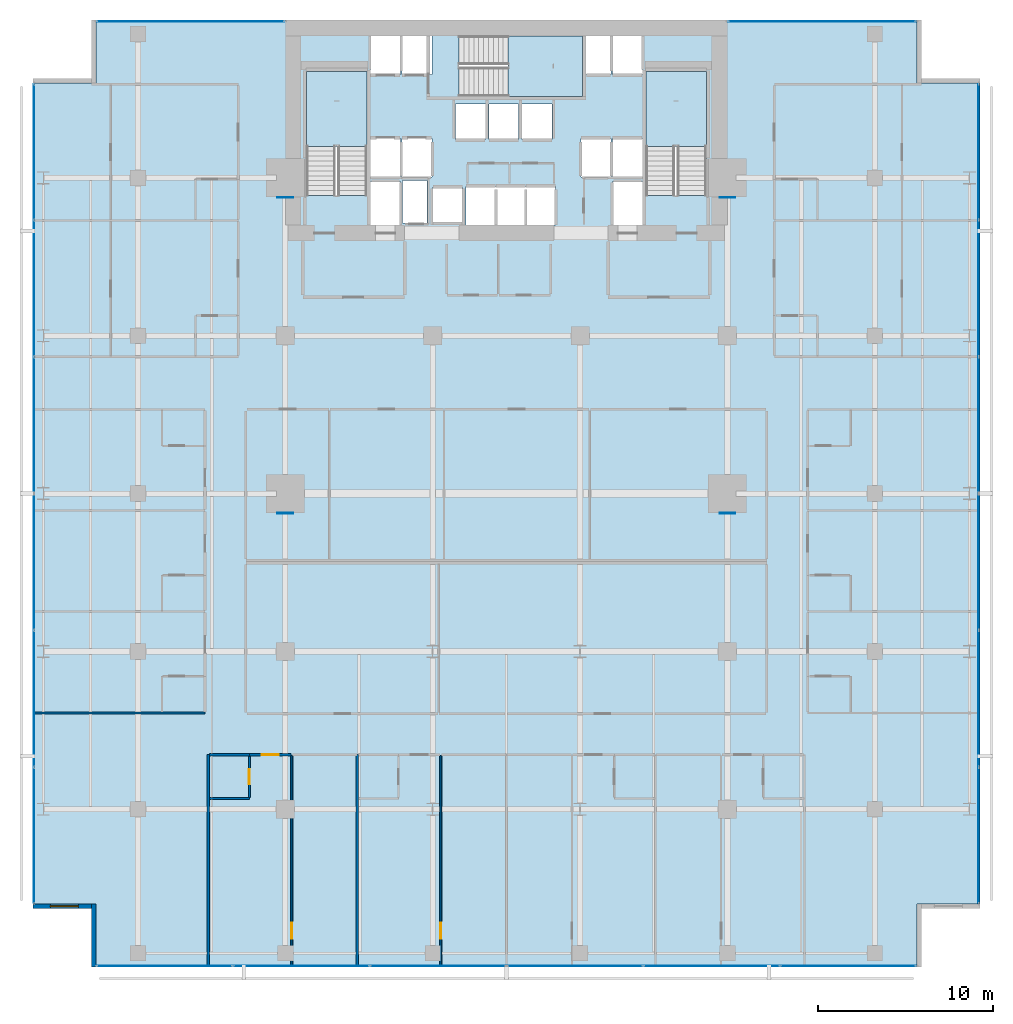
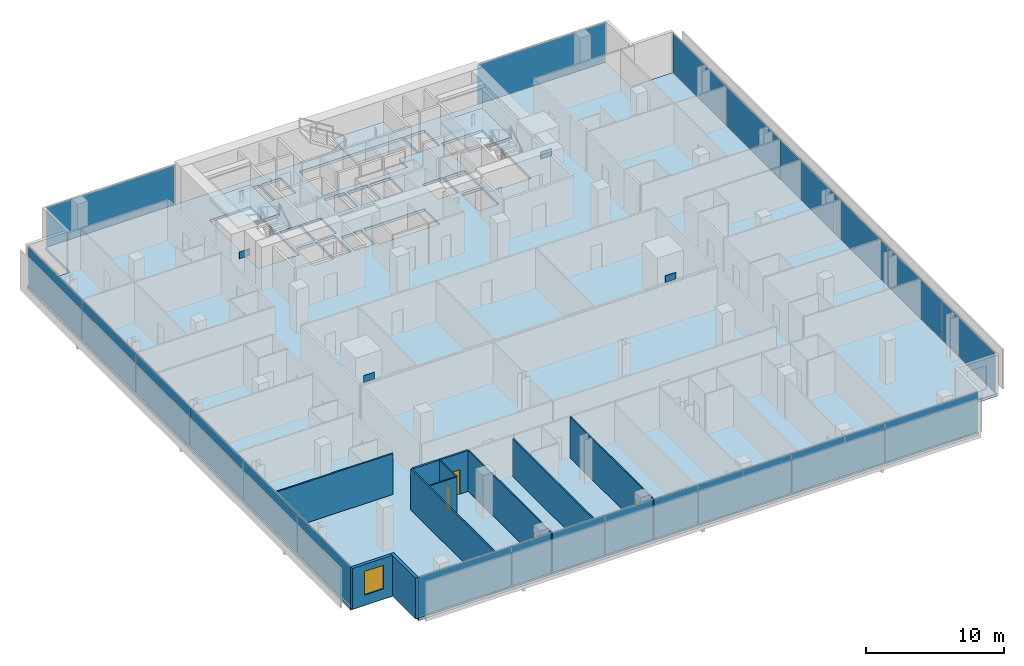
# One storey, part 32 of 40: 24 plates, 11 walls, 4 doors, 4 slabs, 1 window, 5 openings, 8 elements without a shape of their own.
"""IFC4 building model written with IfcOpenShell, lengths in metres."""

from ifc_helpers import new_model, si_unit, direction, frame, frame_2d, origin, origin_2d, place, context, subcontext, project, spatial, polyline, rectangle, outline, extrude, material, layer, layer_set, type_object, element, fill, aggregate, save


model = new_model("IFC4")

# Units and contexts
model_context = context("Model", 3, precision=1e-05, world=origin(), true_north=direction((0.0, 1.0)))
body_context = subcontext(model_context, "Body", "Model", "MODEL_VIEW")
ifc_project = project(units=[si_unit("LENGTHUNIT", "METRE"), si_unit("AREAUNIT", "SQUARE_METRE"), si_unit("VOLUMEUNIT", "CUBIC_METRE"), si_unit("PLANEANGLEUNIT", "RADIAN"), si_unit("MASSUNIT", "GRAM", prefix="KILO")], contexts=[model_context])

# Site, building, storey
site_placement = place(None, origin())
site = spatial("IfcSite", under=ifc_project, at=site_placement, CompositionType="ELEMENT")
building_placement = place(site_placement, origin())
building = spatial("IfcBuilding", under=site, at=building_placement, Name="Maruvema Waterfront Hotel and Observation Tower", CompositionType="ELEMENT")
storey_placement = place(building_placement, frame((0.0, 0.0, 96.25)))
storey = spatial("IfcBuildingStorey", under=building, at=storey_placement, Name="L23", CompositionType="ELEMENT", Elevation=96.25)

# Slab
ifc_material_1 = material(Name="Concrete C50/60", Category="concrete")
ifc_layer_1 = layer(ifc_material_1, 0.239990234375, Name="Reinforced Concrete Floor Slab 240 mm")
ifc_layer_set_1 = layer_set([ifc_layer_1], Name="Concrete C50/60")
slab_type_1 = type_object("IfcSlabType", Name="Reinforced Concrete Floor Slab 240 mm", PredefinedType="FLOOR", material=ifc_layer_set_1)
slab_1_placement = place(storey_placement, frame((0.0, 0.0, -0.239990234375)))
element("IfcSlab", 1, at=slab_1_placement, inside=storey, type_object=slab_type_1, Name="L23 Structural Floor Slab", PredefinedType="FLOOR", context=body_context, shape_type="SweptSolid", body=[
    extrude(outline(polyline([(14.39990234375, 0.0), (61.199951171875, 0.0), (61.199951171875, 3.60009765625), (64.800048828125, 3.60009765625), (64.800048828125, 50.39990234375), (61.199951171875, 50.39990234375), (61.199951171875, 54.0), (14.39990234375, 54.0), (14.39990234375, 50.39990234375), (10.800048828125, 50.39990234375), (10.800048828125, 3.60009765625), (14.39990234375, 3.60009765625), (14.39990234375, 0.0)]), holes=[polyline([(26.39990234375, 44.00048828125), (26.39990234375, 51.050048828125), (29.85009765625, 51.050048828125), (29.85009765625, 44.00048828125), (26.39990234375, 44.00048828125)]), polyline([(30.050048828125, 44.800048828125), (31.75, 44.800048828125), (31.75, 42.320068359375), (30.050048828125, 42.320068359375), (30.050048828125, 44.800048828125)]), polyline([(31.75, 47.25), (31.75, 45.050048828125), (30.050048828125, 45.050048828125), (30.050048828125, 47.25), (31.75, 47.25)]), polyline([(31.75, 53.10009765625), (31.75, 50.89990234375), (30.050048828125, 50.89990234375), (30.050048828125, 53.10009765625), (31.75, 53.10009765625)]), polyline([(33.280029296875, 44.860107421875), (33.280029296875, 42.43994140625), (31.8798828125, 42.43994140625), (31.8798828125, 44.860107421875), (33.280029296875, 44.860107421875)]), polyline([(31.85009765625, 47.25), (33.550048828125, 47.25), (33.550048828125, 45.050048828125), (31.85009765625, 45.050048828125), (31.85009765625, 47.25)]), polyline([(31.85009765625, 53.10009765625), (33.550048828125, 53.10009765625), (33.550048828125, 50.89990234375), (31.85009765625, 50.89990234375), (31.85009765625, 53.10009765625)]), polyline([(33.60009765625, 44.449951171875), (35.300048828125, 44.449951171875), (35.300048828125, 42.449951171875), (33.60009765625, 42.449951171875), (33.60009765625, 44.449951171875)]), polyline([(34.89990234375, 49.199951171875), (36.60009765625, 49.199951171875), (36.60009765625, 47.199951171875), (34.89990234375, 47.199951171875), (34.89990234375, 49.199951171875)]), polyline([(38.5, 49.199951171875), (38.5, 47.199951171875), (36.800048828125, 47.199951171875), (36.800048828125, 49.199951171875), (38.5, 49.199951171875)]), polyline([(35.5, 44.5), (40.60009765625, 44.5), (40.60009765625, 42.300048828125), (35.5, 42.300048828125), (35.5, 44.5)]), polyline([(43.75, 50.89990234375), (42.14990234375, 50.89990234375), (42.14990234375, 49.64990234375), (35.1005859375, 49.64990234375), (35.1005859375, 53.10009765625), (43.75, 53.10009765625), (43.75, 50.89990234375)]), polyline([(40.39990234375, 49.199951171875), (40.39990234375, 47.199951171875), (38.699951171875, 47.199951171875), (38.699951171875, 49.199951171875), (40.39990234375, 49.199951171875)]), polyline([(43.75, 47.25), (43.75, 45.050048828125), (42.050048828125, 45.050048828125), (42.050048828125, 47.25), (43.75, 47.25)]), polyline([(45.550048828125, 44.800048828125), (45.550048828125, 42.320068359375), (43.85009765625, 42.320068359375), (43.85009765625, 44.800048828125), (45.550048828125, 44.800048828125)]), polyline([(43.85009765625, 47.25), (45.550048828125, 47.25), (45.550048828125, 45.050048828125), (43.85009765625, 45.050048828125), (43.85009765625, 47.25)]), polyline([(45.550048828125, 53.10009765625), (45.550048828125, 50.89990234375), (43.85009765625, 50.89990234375), (43.85009765625, 53.10009765625), (45.550048828125, 53.10009765625)]), polyline([(45.75, 51.050048828125), (49.199951171875, 51.050048828125), (49.199951171875, 44.00048828125), (45.75, 44.00048828125), (45.75, 51.050048828125)])]), origin(), (0.0, 0.0, 1.0), 0.239990234375),
])

# Curtain wall, plates
ifc_material_2 = material(Name="Anodised bronze aluminium and solar-control low-E IGU", Category="aluminium")
ifc_layer_2 = layer(ifc_material_2, 0.159912109375, Name="Zone 1 Bronze Inner Thermal Curtain Wall System CW-02")
ifc_layer_set_2 = layer_set([ifc_layer_2], Name="Anodised bronze aluminium and solar-control low-E IGU")
curtain_wall_type = type_object("IfcCurtainWallType", Name="Zone 1 Bronze Inner Thermal Curtain Wall System CW-02", PredefinedType="USERDEFINED", material=ifc_layer_set_2)
curtain_wall_1_placement = place(storey_placement, origin())
curtain_wall_1 = element("IfcCurtainWall", 2, at=curtain_wall_1_placement, inside=storey, type_object=curtain_wall_type, Name="L23 Curtain Wall CW-L23-S", ObjectType="UNITISED CURTAIN WALL", PredefinedType="USERDEFINED")
ifc_material_3 = material(Name="Laminated low-E solar-control double glazing", Category="glass")
ifc_layer_3 = layer(ifc_material_3, 0.035888671875, Name="Solar Control Double-Glazed Curtain Panel 36 mm")
ifc_layer_set_3 = layer_set([ifc_layer_3], Name="Laminated low-E solar-control double glazing")
plate_type_1 = type_object("IfcPlateType", Name="Solar Control Double-Glazed Curtain Panel 36 mm", PredefinedType="CURTAIN_PANEL", material=ifc_layer_set_3)
plate_1_placement = place(storey_placement, frame((18.31494140625, 0.080078125, 0.06005859375), z_axis=(0.0, 0.0, 1.0), x_axis=(1.0, 0.0, 0.0)))
plate_1 = element("IfcPlate", 3, at=plate_1_placement, type_object=plate_type_1, Name="CW-02 panel 1.1", PredefinedType="CURTAIN_PANEL", context=body_context, shape_type="SweptSolid", body=[
    extrude(rectangle(XDim=7.7099609375, YDim=0.028076171875, at=origin_2d()), origin(), (0.0, 0.0, 1.0), 3.489990234375),
])
plate_2_placement = place(storey_placement, frame((26.10009765625, 0.080078125, 0.06005859375), z_axis=(0.0, 0.0, 1.0), x_axis=(1.0, 0.0, 0.0)))
plate_2 = element("IfcPlate", 4, at=plate_2_placement, type_object=plate_type_1, Name="CW-02 panel 2.1", PredefinedType="CURTAIN_PANEL", context=body_context, shape_type="SweptSolid", body=[
    extrude(rectangle(XDim=7.739990234375, YDim=0.028076171875, at=origin_2d()), origin(), (0.0, 0.0, 1.0), 3.489990234375),
])
plate_3_placement = place(storey_placement, frame((33.89990234375, 0.080078125, 0.06005859375), z_axis=(0.0, 0.0, 1.0), x_axis=(1.0, 0.0, 0.0)))
plate_3 = element("IfcPlate", 5, at=plate_3_placement, type_object=plate_type_1, Name="CW-02 panel 3.1", PredefinedType="CURTAIN_PANEL", context=body_context, shape_type="SweptSolid", body=[
    extrude(rectangle(XDim=7.739990234375, YDim=0.028076171875, at=origin_2d()), origin(), (0.0, 0.0, 1.0), 3.489990234375),
])
plate_4_placement = place(storey_placement, frame((41.699951171875, 0.080078125, 0.06005859375), z_axis=(0.0, 0.0, 1.0), x_axis=(1.0, 0.0, 0.0)))
plate_4 = element("IfcPlate", 6, at=plate_4_placement, type_object=plate_type_1, Name="CW-02 panel 4.1", PredefinedType="CURTAIN_PANEL", context=body_context, shape_type="SweptSolid", body=[
    extrude(rectangle(XDim=7.739990234375, YDim=0.028076171875, at=origin_2d()), origin(), (0.0, 0.0, 1.0), 3.489990234375),
])
plate_5_placement = place(storey_placement, frame((49.5, 0.080078125, 0.06005859375), z_axis=(0.0, 0.0, 1.0), x_axis=(1.0, 0.0, 0.0)))
plate_5 = element("IfcPlate", 7, at=plate_5_placement, type_object=plate_type_1, Name="CW-02 panel 5.1", PredefinedType="CURTAIN_PANEL", context=body_context, shape_type="SweptSolid", body=[
    extrude(rectangle(XDim=7.739990234375, YDim=0.028076171875, at=origin_2d()), origin(), (0.0, 0.0, 1.0), 3.489990234375),
])
plate_6_placement = place(storey_placement, frame((57.284912109375, 0.080078125, 0.06005859375), z_axis=(0.0, 0.0, 1.0), x_axis=(1.0, 0.0, 0.0)))
plate_6 = element("IfcPlate", 8, at=plate_6_placement, type_object=plate_type_1, Name="CW-02 panel 6.1", PredefinedType="CURTAIN_PANEL", context=body_context, shape_type="SweptSolid", body=[
    extrude(rectangle(XDim=7.7099609375, YDim=0.028076171875, at=origin_2d()), origin(), (0.0, 0.0, 1.0), 3.489990234375),
])
aggregate(curtain_wall_1, [plate_1, plate_2, plate_3, plate_4, plate_5, plate_6])

curtain_wall_2_placement = place(storey_placement, origin())
curtain_wall_2 = element("IfcCurtainWall", 9, at=curtain_wall_2_placement, inside=storey, type_object=curtain_wall_type, Name="L23 Curtain Wall CW-L23-E", ObjectType="UNITISED CURTAIN WALL", PredefinedType="USERDEFINED")
plate_7_placement = place(storey_placement, frame((64.719970703125, 7.514892578125, 0.06005859375), z_axis=(0.0, 0.0, 1.0), x_axis=(0.0, 1.0, 0.0)))
plate_7 = element("IfcPlate", 10, at=plate_7_placement, type_object=plate_type_1, Name="CW-02 panel 1.1", PredefinedType="CURTAIN_PANEL", context=body_context, shape_type="SweptSolid", body=[
    extrude(rectangle(XDim=7.7099609375, YDim=0.028076171875, at=origin_2d()), origin(), (0.0, 0.0, 1.0), 3.489990234375),
])
plate_8_placement = place(storey_placement, frame((64.719970703125, 15.300048828125, 0.06005859375), z_axis=(0.0, 0.0, 1.0), x_axis=(0.0, 1.0, 0.0)))
plate_8 = element("IfcPlate", 11, at=plate_8_placement, type_object=plate_type_1, Name="CW-02 panel 2.1", PredefinedType="CURTAIN_PANEL", context=body_context, shape_type="SweptSolid", body=[
    extrude(rectangle(XDim=7.739990234375, YDim=0.028076171875, at=origin_2d()), origin(), (0.0, 0.0, 1.0), 3.489990234375),
])
plate_9_placement = place(storey_placement, frame((64.719970703125, 23.10009765625, 0.06005859375), z_axis=(0.0, 0.0, 1.0), x_axis=(0.0, 1.0, 0.0)))
plate_9 = element("IfcPlate", 12, at=plate_9_placement, type_object=plate_type_1, Name="CW-02 panel 3.1", PredefinedType="CURTAIN_PANEL", context=body_context, shape_type="SweptSolid", body=[
    extrude(rectangle(XDim=7.739990234375, YDim=0.028076171875, at=origin_2d()), origin(), (0.0, 0.0, 1.0), 3.489990234375),
])
plate_10_placement = place(storey_placement, frame((64.719970703125, 30.89990234375, 0.06005859375), z_axis=(0.0, 0.0, 1.0), x_axis=(0.0, 1.0, 0.0)))
plate_10 = element("IfcPlate", 13, at=plate_10_placement, type_object=plate_type_1, Name="CW-02 panel 4.1", PredefinedType="CURTAIN_PANEL", context=body_context, shape_type="SweptSolid", body=[
    extrude(rectangle(XDim=7.739990234375, YDim=0.028076171875, at=origin_2d()), origin(), (0.0, 0.0, 1.0), 3.489990234375),
])
plate_11_placement = place(storey_placement, frame((64.719970703125, 38.699951171875, 0.06005859375), z_axis=(0.0, 0.0, 1.0), x_axis=(0.0, 1.0, 0.0)))
plate_11 = element("IfcPlate", 14, at=plate_11_placement, type_object=plate_type_1, Name="CW-02 panel 5.1", PredefinedType="CURTAIN_PANEL", context=body_context, shape_type="SweptSolid", body=[
    extrude(rectangle(XDim=7.739990234375, YDim=0.028076171875, at=origin_2d()), origin(), (0.0, 0.0, 1.0), 3.489990234375),
])
plate_12_placement = place(storey_placement, frame((64.719970703125, 46.485107421875, 0.06005859375), z_axis=(0.0, 0.0, 1.0), x_axis=(0.0, 1.0, 0.0)))
plate_12 = element("IfcPlate", 15, at=plate_12_placement, type_object=plate_type_1, Name="CW-02 panel 6.1", PredefinedType="CURTAIN_PANEL", context=body_context, shape_type="SweptSolid", body=[
    extrude(rectangle(XDim=7.7099609375, YDim=0.028076171875, at=origin_2d()), origin(), (0.0, 0.0, 1.0), 3.489990234375),
])
aggregate(curtain_wall_2, [plate_7, plate_8, plate_9, plate_10, plate_11, plate_12])

curtain_wall_3_placement = place(storey_placement, origin())
curtain_wall_3 = element("IfcCurtainWall", 16, at=curtain_wall_3_placement, inside=storey, type_object=curtain_wall_type, Name="L23 Curtain Wall CW-L23-W", ObjectType="UNITISED CURTAIN WALL", PredefinedType="USERDEFINED")
plate_13_placement = place(storey_placement, frame((10.8798828125, 46.485107421875, 0.06005859375), z_axis=(0.0, 0.0, 1.0), x_axis=(0.0, -1.0, 0.0)))
plate_13 = element("IfcPlate", 17, at=plate_13_placement, type_object=plate_type_1, Name="CW-02 panel 1.1", PredefinedType="CURTAIN_PANEL", context=body_context, shape_type="SweptSolid", body=[
    extrude(rectangle(XDim=7.7099609375, YDim=0.028076171875, at=origin_2d()), origin(), (0.0, 0.0, 1.0), 3.489990234375),
])
plate_14_placement = place(storey_placement, frame((10.8798828125, 38.699951171875, 0.06005859375), z_axis=(0.0, 0.0, 1.0), x_axis=(0.0, -1.0, 0.0)))
plate_14 = element("IfcPlate", 18, at=plate_14_placement, type_object=plate_type_1, Name="CW-02 panel 2.1", PredefinedType="CURTAIN_PANEL", context=body_context, shape_type="SweptSolid", body=[
    extrude(rectangle(XDim=7.739990234375, YDim=0.028076171875, at=origin_2d()), origin(), (0.0, 0.0, 1.0), 3.489990234375),
])
plate_15_placement = place(storey_placement, frame((10.8798828125, 30.89990234375, 0.06005859375), z_axis=(0.0, 0.0, 1.0), x_axis=(0.0, -1.0, 0.0)))
plate_15 = element("IfcPlate", 19, at=plate_15_placement, type_object=plate_type_1, Name="CW-02 panel 3.1", PredefinedType="CURTAIN_PANEL", context=body_context, shape_type="SweptSolid", body=[
    extrude(rectangle(XDim=7.739990234375, YDim=0.028076171875, at=origin_2d()), origin(), (0.0, 0.0, 1.0), 3.489990234375),
])
plate_16_placement = place(storey_placement, frame((10.8798828125, 23.10009765625, 0.06005859375), z_axis=(0.0, 0.0, 1.0), x_axis=(0.0, -1.0, 0.0)))
plate_16 = element("IfcPlate", 20, at=plate_16_placement, type_object=plate_type_1, Name="CW-02 panel 4.1", PredefinedType="CURTAIN_PANEL", context=body_context, shape_type="SweptSolid", body=[
    extrude(rectangle(XDim=7.739990234375, YDim=0.028076171875, at=origin_2d()), origin(), (0.0, 0.0, 1.0), 3.489990234375),
])
plate_17_placement = place(storey_placement, frame((10.8798828125, 15.300048828125, 0.06005859375), z_axis=(0.0, 0.0, 1.0), x_axis=(0.0, -1.0, 0.0)))
plate_17 = element("IfcPlate", 21, at=plate_17_placement, type_object=plate_type_1, Name="CW-02 panel 5.1", PredefinedType="CURTAIN_PANEL", context=body_context, shape_type="SweptSolid", body=[
    extrude(rectangle(XDim=7.739990234375, YDim=0.028076171875, at=origin_2d()), origin(), (0.0, 0.0, 1.0), 3.489990234375),
])
plate_18_placement = place(storey_placement, frame((10.8798828125, 7.514892578125, 0.06005859375), z_axis=(0.0, 0.0, 1.0), x_axis=(0.0, -1.0, 0.0)))
plate_18 = element("IfcPlate", 22, at=plate_18_placement, type_object=plate_type_1, Name="CW-02 panel 6.1", PredefinedType="CURTAIN_PANEL", context=body_context, shape_type="SweptSolid", body=[
    extrude(rectangle(XDim=7.7099609375, YDim=0.028076171875, at=origin_2d()), origin(), (0.0, 0.0, 1.0), 3.489990234375),
])
aggregate(curtain_wall_3, [plate_13, plate_14, plate_15, plate_16, plate_17, plate_18])

# Curtain wall, plate
curtain_wall_4_placement = place(storey_placement, origin())
curtain_wall_4 = element("IfcCurtainWall", 23, at=curtain_wall_4_placement, inside=storey, type_object=curtain_wall_type, Name="L23 Curtain Wall CW-L23-NW", ObjectType="UNITISED CURTAIN WALL", PredefinedType="USERDEFINED")
plate_19_placement = place(storey_placement, frame((19.800048828125, 53.919921875, 0.06005859375), z_axis=(0.0, 0.0, 1.0), x_axis=(-1.0, 0.0, 0.0)))
plate_19 = element("IfcPlate", 24, at=plate_19_placement, type_object=plate_type_1, Name="CW-02 panel 1.1", PredefinedType="CURTAIN_PANEL", context=body_context, shape_type="SweptSolid", body=[
    extrude(rectangle(XDim=10.679931640625, YDim=0.028076171875, at=origin_2d()), origin(), (0.0, 0.0, 1.0), 3.489990234375),
])
aggregate(curtain_wall_4, [plate_19])

curtain_wall_5_placement = place(storey_placement, origin())
curtain_wall_5 = element("IfcCurtainWall", 25, at=curtain_wall_5_placement, inside=storey, type_object=curtain_wall_type, Name="L23 Curtain Wall CW-L23-NE", ObjectType="UNITISED CURTAIN WALL", PredefinedType="USERDEFINED")
plate_20_placement = place(storey_placement, frame((55.800048828125, 53.919921875, 0.06005859375), z_axis=(0.0, 0.0, 1.0), x_axis=(-1.0, 0.0, 0.0)))
plate_20 = element("IfcPlate", 26, at=plate_20_placement, type_object=plate_type_1, Name="CW-02 panel 1.1", PredefinedType="CURTAIN_PANEL", context=body_context, shape_type="SweptSolid", body=[
    extrude(rectangle(XDim=10.679931640625, YDim=0.028076171875, at=origin_2d()), origin(), (0.0, 0.0, 1.0), 3.489990234375),
])
aggregate(curtain_wall_5, [plate_20])

# Stair, slab
ifc_material_4 = material(Name="Concrete C50/60", Category="concrete")
stair_type = type_object("IfcStairType", Name="Dogleg Exit Stair 1650 mm (22R x 175.0 mm)", PredefinedType="HALF_TURN_STAIR", material=ifc_material_4)
stair_1_placement = place(storey_placement, origin())
stair_1 = element("IfcStair", 27, at=stair_1_placement, inside=storey, type_object=stair_type, Name="L23 ST-01", PredefinedType="HALF_TURN_STAIR")
ifc_material_5 = material(Name="Concrete C50/60", Category="concrete")
ifc_layer_4 = layer(ifc_material_5, 0.219970703125, Name="Stair Concrete Landing Slab 220 mm")
ifc_layer_set_4 = layer_set([ifc_layer_4], Name="Concrete C50/60")
slab_type_2 = type_object("IfcSlabType", Name="Stair Concrete Landing Slab 220 mm", PredefinedType="LANDING", material=ifc_layer_set_4)
slab_2_placement = place(storey_placement, frame((0.0, 0.0, 1.705078125)))
slab_2 = element("IfcSlab", 28, at=slab_2_placement, type_object=slab_type_2, Name="ST-01 landing 1", PredefinedType="LANDING", context=body_context, shape_type="SweptSolid", body=[
    extrude(outline(polyline([(29.85009765625, 46.800048828125), (29.85009765625, 51.050048828125), (26.39990234375, 51.050048828125), (26.39990234375, 46.800048828125), (29.85009765625, 46.800048828125)])), origin(), (0.0, 0.0, 1.0), 0.219970703125),
])
aggregate(stair_1, [slab_2])

stair_2_placement = place(storey_placement, origin())
stair_2 = element("IfcStair", 29, at=stair_2_placement, inside=storey, type_object=stair_type, Name="L23 ST-02", PredefinedType="HALF_TURN_STAIR")
slab_3_placement = place(storey_placement, frame((0.0, 0.0, 1.705078125)))
slab_3 = element("IfcSlab", 30, at=slab_3_placement, type_object=slab_type_2, Name="ST-02 landing 1", PredefinedType="LANDING", context=body_context, shape_type="SweptSolid", body=[
    extrude(outline(polyline([(37.89990234375, 49.64990234375), (42.14990234375, 49.64990234375), (42.14990234375, 53.10009765625), (37.89990234375, 53.10009765625), (37.89990234375, 49.64990234375)])), origin(), (0.0, 0.0, 1.0), 0.219970703125),
])
aggregate(stair_2, [slab_3])

stair_3_placement = place(storey_placement, origin())
stair_3 = element("IfcStair", 31, at=stair_3_placement, inside=storey, type_object=stair_type, Name="L23 ST-03", PredefinedType="HALF_TURN_STAIR")
slab_4_placement = place(storey_placement, frame((0.0, 0.0, 1.705078125)))
slab_4 = element("IfcSlab", 32, at=slab_4_placement, type_object=slab_type_2, Name="ST-03 landing 1", PredefinedType="LANDING", context=body_context, shape_type="SweptSolid", body=[
    extrude(outline(polyline([(49.199951171875, 46.800048828125), (49.199951171875, 51.050048828125), (45.75, 51.050048828125), (45.75, 46.800048828125), (49.199951171875, 46.800048828125)])), origin(), (0.0, 0.0, 1.0), 0.219970703125),
])
aggregate(stair_3, [slab_4])

# Plates
ifc_material_6 = material(Name="Steel ABNT NBR 7007 AR 415 (ASTM A572 Grade 50)", Category="steel")
ifc_layer_5 = layer(ifc_material_6, 0.0400390625, Name="Structural Truss Node Gusset Plate 40 mm")
ifc_layer_set_5 = layer_set([ifc_layer_5], Name="Steel ABNT NBR 7007 AR 415 (ASTM A572 Grade 50)")
plate_type_2 = type_object("IfcPlateType", Name="Structural Truss Node Gusset Plate 40 mm", PredefinedType="USERDEFINED", material=ifc_layer_set_5)
for number, where, z_axis, x_axis, name in (
    (33, (25.199951171875, 25.8798828125, 1.5), (0.0, 0.0, 1.0), (1.0, 0.0, 0.0), "L23 MC-01 Moment Frame Continuity Gusset Plate"),
    (34, (50.39990234375, 25.8798828125, 1.5), (0.0, 0.0, 1.0), (1.0, 0.0, 0.0), "L23 MC-02 Moment Frame Continuity Gusset Plate"),
    (35, (25.199951171875, 43.8798828125, 1.5), (0.0, 0.0, 1.0), (1.0, 0.0, 0.0), "L23 MC-03 Moment Frame Continuity Gusset Plate"),
    (36, (50.39990234375, 43.8798828125, 1.5), (0.0, 0.0, 1.0), (1.0, 0.0, 0.0), "L23 MC-04 Moment Frame Continuity Gusset Plate"),
):
    element("IfcPlate", number, at=place(storey_placement, frame(where, z_axis=z_axis, x_axis=x_axis)), inside=storey, type_object=plate_type_2, Name=name, ObjectType="GUSSET_PLATE", PredefinedType="USERDEFINED", context=body_context, shape_type="SweptSolid", body=[
        extrude(rectangle(XDim=0.89990234375, YDim=0.0400390625, at=origin_2d()), origin(), (0.0, 0.0, 1.0), 0.60009765625),
    ])

# Wall
ifc_material_7 = material(Name="Twin-stud acoustic gypsum drywall", Category="gypsum")
ifc_layer_6 = layer(ifc_material_7, 0.14990234375, Name="Acoustic Corridor and Suite Demising Wall 150 mm")
ifc_layer_set_6 = layer_set([ifc_layer_6], Name="Twin-stud acoustic gypsum drywall")
wall_type_1 = type_object("IfcWallType", Name="Acoustic Corridor and Suite Demising Wall 150 mm", PredefinedType="PARTITIONING", material=ifc_layer_set_6)
wall_1_placement = place(storey_placement, frame((20.8798828125, 12.1201171875, 0.0), z_axis=(0.0, 0.0, 1.0), x_axis=(1.0, 0.0, 0.0)))
element("IfcWall", 37, at=wall_1_placement, inside=storey, type_object=wall_type_1, Name="L23 Bath L23-S1 Back Wall 040", PredefinedType="PARTITIONING", context=body_context, shape_type="SweptSolid", body=[
    extrude(rectangle(XDim=2.27001953125, YDim=0.14990234375, at=frame_2d((1.135009765625, 0.0))), origin(), (0.0, 0.0, 1.0), 3.610107421875),
])

# Wall, opening, door
wall_2_placement = place(storey_placement, frame((23.14990234375, 12.1201171875, 0.0), z_axis=(0.0, 0.0, 1.0), x_axis=(1.0, 0.0, 0.0)))
wall_2 = element("IfcWall", 38, at=wall_2_placement, inside=storey, type_object=wall_type_1, Name="L23 Unit L23-S1 Corridor Wall 043", PredefinedType="PARTITIONING", context=body_context, shape_type="SweptSolid", body=[
    extrude(rectangle(XDim=2.3701171875, YDim=0.14990234375, at=frame_2d((1.18505859375, 0.0))), origin(), (0.0, 0.0, 1.0), 3.610107421875),
])
opening_1_placement = place(wall_2_placement, frame((0.7099609375, 0.0, 0.0)))
opening_1 = element("IfcOpeningElement", 39, at=opening_1_placement, cuts=wall_2, Name="Opening DR-095", PredefinedType="OPENING", context=body_context, shape_type="SweptSolid", body=[
    extrude(rectangle(XDim=0.949951171875, YDim=2.14990234375, at=frame_2d((0.47509765625, 1.074951171875))), frame((0.0, 0.0849609375, 0.0), z_axis=(0.0, -1.0, 0.0), x_axis=(1.0, 0.0, 0.0)), (0.0, 0.0, 1.0), 0.169921875),
])
ifc_material_8 = material(Name="Acoustic solid-core hardwood timber leaf", Category="wood")
door_type_1 = type_object("IfcDoorType", Name="Guestroom Entrance Fire Door 950x2150 mm", OperationType="NOTDEFINED", PredefinedType="DOOR", material=ifc_material_8)
door_1_placement = place(opening_1_placement, frame((0.949951171875, 0.0, 0.0), z_axis=(0.0, 0.0, 1.0), x_axis=(-1.0, 0.0, 0.0)))
door_1 = element("IfcDoor", 40, at=door_1_placement, inside=storey, type_object=door_type_1, Name="L23 Unit L23-S1 Entrance Door", OperationType="SINGLE_SWING_RIGHT", OverallHeight=2.14990234375, OverallWidth=0.949951171875, PredefinedType="DOOR", context=body_context, shape_type="SweptSolid", body=[
    extrude(rectangle(XDim=0.949951171875, YDim=2.14990234375, at=frame_2d((0.47509765625, 1.074951171875))), frame((0.0, 0.02490234375, 0.0), z_axis=(0.0, -1.0, 0.0), x_axis=(1.0, 0.0, 0.0)), (0.0, 0.0, 1.0), 0.050048828125),
])
fill(opening_1, door_1)

# Wall
ifc_material_9 = material(Name="Moisture-resistant cement-board drywall", Category="gypsum")
ifc_layer_7 = layer(ifc_material_9, 0.10009765625, Name="En-Suite Moisture-Resistant Partition 100 mm")
ifc_layer_set_7 = layer_set([ifc_layer_7], Name="Moisture-resistant cement-board drywall")
wall_type_2 = type_object("IfcWallType", Name="En-Suite Moisture-Resistant Partition 100 mm", PredefinedType="PARTITIONING", material=ifc_layer_set_7)
wall_3_placement = place(storey_placement, frame((20.8798828125, 9.6201171875, 0.0), z_axis=(0.0, 0.0, 1.0), x_axis=(1.0, 0.0, 0.0)))
element("IfcWall", 41, at=wall_3_placement, inside=storey, type_object=wall_type_2, Name="L23 En-Suite L23-S1 South 041", PredefinedType="PARTITIONING", context=body_context, shape_type="SweptSolid", body=[
    extrude(rectangle(XDim=2.27001953125, YDim=0.10009765625, at=frame_2d((1.135009765625, 0.0))), origin(), (0.0, 0.0, 1.0), 3.610107421875),
])

# Wall, opening, door
wall_4_placement = place(storey_placement, frame((23.14990234375, 9.679931640625, 0.0), z_axis=(0.0, 0.0, 1.0), x_axis=(0.0, 1.0, 0.0)))
wall_4 = element("IfcWall", 42, at=wall_4_placement, inside=storey, type_object=wall_type_2, Name="L23 En-Suite L23-S1 East 042", PredefinedType="PARTITIONING", context=body_context, shape_type="SweptSolid", body=[
    extrude(rectangle(XDim=2.340087890625, YDim=0.10009765625, at=frame_2d((1.169921875, 0.0))), origin(), (0.0, 0.0, 1.0), 3.610107421875),
])
opening_2_placement = place(wall_4_placement, frame((0.7451171875, 0.0, 0.0)))
opening_2 = element("IfcOpeningElement", 43, at=opening_2_placement, cuts=wall_4, Name="Opening DR-085", PredefinedType="OPENING", context=body_context, shape_type="SweptSolid", body=[
    extrude(rectangle(XDim=0.85009765625, YDim=2.10009765625, at=frame_2d((0.425048828125, 1.050048828125))), frame((0.0, 0.06005859375, 0.0), z_axis=(0.0, -1.0, 0.0), x_axis=(1.0, 0.0, 0.0)), (0.0, 0.0, 1.0), 0.1201171875),
])
ifc_material_10 = material(Name="Moisture-resistant solid timber leaf", Category="wood")
door_type_2 = type_object("IfcDoorType", Name="En-Suite Bathroom Door 850x2100 mm", OperationType="NOTDEFINED", PredefinedType="DOOR", material=ifc_material_10)
door_2_placement = place(opening_2_placement, frame((0.85009765625, 0.0, 0.0), z_axis=(0.0, 0.0, 1.0), x_axis=(-1.0, 0.0, 0.0)))
door_2 = element("IfcDoor", 44, at=door_2_placement, inside=storey, type_object=door_type_2, Name="L23 En-Suite L23-S1 Door", OperationType="SINGLE_SWING_LEFT", OverallHeight=2.10009765625, OverallWidth=0.85009765625, PredefinedType="DOOR", context=body_context, shape_type="SweptSolid", body=[
    extrude(rectangle(XDim=0.85009765625, YDim=2.10009765625, at=frame_2d((0.425048828125, 1.050048828125))), frame((0.0, 0.02490234375, 0.0), z_axis=(0.0, -1.0, 0.0), x_axis=(1.0, 0.0, 0.0)), (0.0, 0.0, 1.0), 0.050048828125),
])
fill(opening_2, door_2)

wall_5_placement = place(storey_placement, frame((25.56005859375, 0.030029296875, 0.0), z_axis=(0.0, 0.0, 1.0), x_axis=(0.0, 1.0, 0.0)))
wall_5 = element("IfcWall", 45, at=wall_5_placement, inside=storey, type_object=wall_type_2, Name="L23 Suite L23-S1 Split 045", PredefinedType="PARTITIONING", context=body_context, shape_type="SweptSolid", body=[
    extrude(rectangle(XDim=12.030029296875, YDim=0.10009765625, at=frame_2d((6.01513671875, 0.0))), origin(), (0.0, 0.0, 1.0), 3.610107421875),
])
opening_3_placement = place(wall_5_placement, frame((1.60009765625, 0.0, 0.0)))
opening_3 = element("IfcOpeningElement", 46, at=opening_3_placement, cuts=wall_5, Name="Opening DR-090", PredefinedType="OPENING", context=body_context, shape_type="SweptSolid", body=[
    extrude(rectangle(XDim=0.89990234375, YDim=2.10009765625, at=frame_2d((0.449951171875, 1.050048828125))), frame((0.0, 0.06005859375, 0.0), z_axis=(0.0, -1.0, 0.0), x_axis=(1.0, 0.0, 0.0)), (0.0, 0.0, 1.0), 0.1201171875),
])
ifc_material_11 = material(Name="Solid-core lacquered timber leaf", Category="wood")
door_type_3 = type_object("IfcDoorType", Name="Accessible Toilet and Room Door 900x2100 mm", OperationType="NOTDEFINED", PredefinedType="DOOR", material=ifc_material_11)
door_3_placement = place(opening_3_placement, origin())
door_3 = element("IfcDoor", 47, at=door_3_placement, inside=storey, type_object=door_type_3, Name="L23 Suite L23-S1 Bedroom Door", OperationType="SINGLE_SWING_LEFT", OverallHeight=2.10009765625, OverallWidth=0.89990234375, PredefinedType="DOOR", context=body_context, shape_type="SweptSolid", body=[
    extrude(rectangle(XDim=0.89990234375, YDim=2.10009765625, at=frame_2d((0.449951171875, 1.050048828125))), frame((0.0, 0.02490234375, 0.0), z_axis=(0.0, -1.0, 0.0), x_axis=(1.0, 0.0, 0.0)), (0.0, 0.0, 1.0), 0.050048828125),
])
fill(opening_3, door_3)

wall_6_placement = place(storey_placement, frame((34.06005859375, 0.030029296875, 0.0), z_axis=(0.0, 0.0, 1.0), x_axis=(0.0, 1.0, 0.0)))
wall_6 = element("IfcWall", 48, at=wall_6_placement, inside=storey, type_object=wall_type_2, Name="L23 Suite L23-S2 Split 052", PredefinedType="PARTITIONING", context=body_context, shape_type="SweptSolid", body=[
    extrude(rectangle(XDim=12.030029296875, YDim=0.10009765625, at=frame_2d((6.01513671875, 0.0))), origin(), (0.0, 0.0, 1.0), 3.610107421875),
])
opening_4_placement = place(wall_6_placement, frame((1.60009765625, 0.0, 0.0)))
opening_4 = element("IfcOpeningElement", 49, at=opening_4_placement, cuts=wall_6, Name="Opening DR-090", PredefinedType="OPENING", context=body_context, shape_type="SweptSolid", body=[
    extrude(rectangle(XDim=0.89990234375, YDim=2.10009765625, at=frame_2d((0.449951171875, 1.050048828125))), frame((0.0, 0.06005859375, 0.0), z_axis=(0.0, -1.0, 0.0), x_axis=(1.0, 0.0, 0.0)), (0.0, 0.0, 1.0), 0.1201171875),
])
door_4_placement = place(opening_4_placement, origin())
door_4 = element("IfcDoor", 50, at=door_4_placement, inside=storey, type_object=door_type_3, Name="L23 Suite L23-S2 Bedroom Door", OperationType="SINGLE_SWING_RIGHT", OverallHeight=2.10009765625, OverallWidth=0.89990234375, PredefinedType="DOOR", context=body_context, shape_type="SweptSolid", body=[
    extrude(rectangle(XDim=0.89990234375, YDim=2.10009765625, at=frame_2d((0.449951171875, 1.050048828125))), frame((0.0, 0.02490234375, 0.0), z_axis=(0.0, -1.0, 0.0), x_axis=(1.0, 0.0, 0.0)), (0.0, 0.0, 1.0), 0.050048828125),
])
fill(opening_4, door_4)

# Wall
ifc_material_12 = material(Name="Precast concrete C45/55 with honed Pernambuco granite facing", Category="masonry")
ifc_layer_8 = layer(ifc_material_12, 0.260009765625, Name="Exterior Granite Clad Spandrel and Pier Wall 260 mm")
ifc_layer_set_8 = layer_set([ifc_layer_8], Name="Precast concrete C45/55 with honed Pernambuco granite facing")
wall_type_3 = type_object("IfcWallType", Name="Exterior Granite Clad Spandrel and Pier Wall 260 mm", PredefinedType="SOLIDWALL", material=ifc_layer_set_8)
wall_7_placement = place(storey_placement, frame((14.27001953125, 0.0, 0.0), z_axis=(0.0, 0.0, 1.0), x_axis=(0.0, 1.0, 0.0)))
element("IfcWall", 51, at=wall_7_placement, inside=storey, type_object=wall_type_3, Name="L23 Corner Notch Granite Pier Wall SW1", PredefinedType="SOLIDWALL", context=body_context, shape_type="SweptSolid", body=[
    extrude(rectangle(XDim=3.60009765625, YDim=0.260009765625, at=frame_2d((1.800048828125, 0.0))), origin(), (0.0, 0.0, 1.0), 3.610107421875),
])

# Wall, opening, window
wall_8_placement = place(storey_placement, frame((14.39990234375, 3.469970703125, 0.0), z_axis=(0.0, 0.0, 1.0), x_axis=(-1.0, 0.0, 0.0)))
wall_8 = element("IfcWall", 52, at=wall_8_placement, inside=storey, type_object=wall_type_3, Name="L23 Corner Notch Granite Pier Wall SW2", PredefinedType="SOLIDWALL", context=body_context, shape_type="SweptSolid", body=[
    extrude(rectangle(XDim=3.599853515625, YDim=0.260009765625, at=frame_2d((1.7998046875, 0.0))), origin(), (0.0, 0.0, 1.0), 3.610107421875),
])
opening_5_placement = place(wall_8_placement, frame((1.0, 0.0, 0.89990234375)))
opening_5 = element("IfcOpeningElement", 53, at=opening_5_placement, cuts=wall_8, Name="Opening WN-01", PredefinedType="OPENING", context=body_context, shape_type="SweptSolid", body=[
    extrude(rectangle(XDim=1.60009765625, YDim=2.10009765625, at=frame_2d((0.800048828125, 1.050048828125))), frame((0.0, 0.14013671875, 0.0), z_axis=(0.0, -1.0, 0.0), x_axis=(1.0, 0.0, 0.0)), (0.0, 0.0, 1.0), 0.280029296875),
])
ifc_material_13 = material(Name="Anodised bronze aluminium frame with laminated low-E glass", Category="aluminium")
window_type = type_object("IfcWindowType", Name="Corner Notch Feature Window 1600x2100 mm", PartitioningType="SINGLE_PANEL", PredefinedType="WINDOW", material=ifc_material_13)
window_placement = place(opening_5_placement, origin())
window = element("IfcWindow", 54, at=window_placement, inside=storey, type_object=window_type, Name="L23 Corner Notch Punched Window SW2", OverallHeight=2.10009765625, OverallWidth=1.60009765625, PartitioningType="SINGLE_PANEL", PredefinedType="WINDOW", context=body_context, shape_type="SweptSolid", body=[
    extrude(rectangle(XDim=1.60009765625, YDim=2.10009765625, at=frame_2d((0.800048828125, 1.050048828125))), frame((0.0, 0.030029296875, 0.0), z_axis=(0.0, -1.0, 0.0), x_axis=(1.0, 0.0, 0.0)), (0.0, 0.0, 1.0), 0.06005859375),
])
fill(opening_5, window)

# Walls
ifc_material_14 = material(Name="Acoustic gypsum plasterboard drywall", Category="gypsum")
ifc_layer_9 = layer(ifc_material_14, 0.125, Name="Guestroom Acoustic Demising Wall 125 mm")
ifc_layer_set_9 = layer_set([ifc_layer_9], Name="Acoustic gypsum plasterboard drywall")
wall_type_4 = type_object("IfcWallType", Name="Guestroom Acoustic Demising Wall 125 mm", PredefinedType="PARTITIONING", material=ifc_layer_set_9)
wall_9_placement = place(storey_placement, frame((20.800048828125, 0.10009765625, 0.0), z_axis=(0.0, 0.0, 1.0), x_axis=(0.0, 1.0, 0.0)))
element("IfcWall", 55, at=wall_9_placement, inside=storey, type_object=wall_type_4, Name="L23 S West End 038", PredefinedType="PARTITIONING", context=body_context, shape_type="SweptSolid", body=[
    extrude(rectangle(XDim=12.02001953125, YDim=0.125, at=frame_2d((6.010009765625, 0.0))), origin(), (0.0, 0.0, 1.0), 3.610107421875),
])
wall_10_placement = place(storey_placement, frame((29.300048828125, 0.10009765625, 0.0), z_axis=(0.0, 0.0, 1.0), x_axis=(0.0, 1.0, 0.0)))
element("IfcWall", 56, at=wall_10_placement, inside=storey, type_object=wall_type_4, Name="L23 S Demising 2 046", PredefinedType="PARTITIONING", context=body_context, shape_type="SweptSolid", body=[
    extrude(rectangle(XDim=12.02001953125, YDim=0.125, at=frame_2d((6.010009765625, 0.0))), origin(), (0.0, 0.0, 1.0), 3.29296875),
])
wall_11_placement = place(storey_placement, frame((10.89990234375, 14.5, 0.0), z_axis=(0.0, 0.0, 1.0), x_axis=(1.0, 0.0, 0.0)))
element("IfcWall", 57, at=wall_11_placement, inside=storey, type_object=wall_type_4, Name="L23 W Bot End 067", PredefinedType="PARTITIONING", context=body_context, shape_type="SweptSolid", body=[
    extrude(rectangle(XDim=9.72021484375, YDim=0.125, at=frame_2d((4.860107421875, 0.0))), origin(), (0.0, 0.0, 1.0), 3.610107421875),
])

save(model, "model.ifc")
